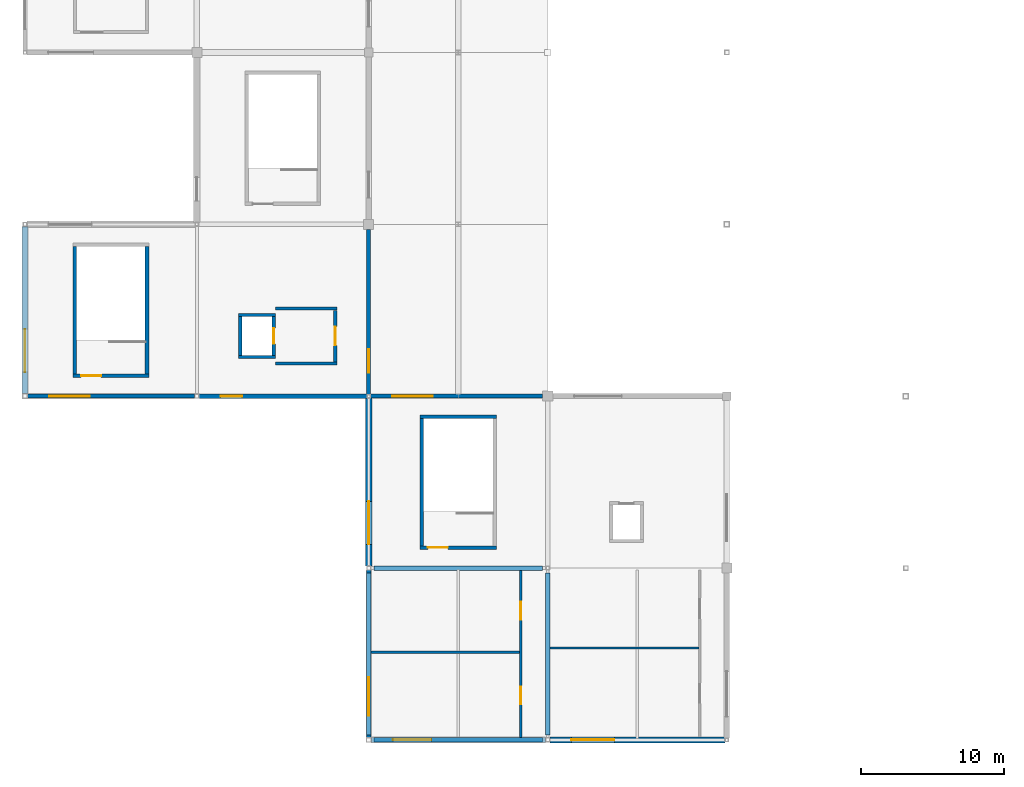
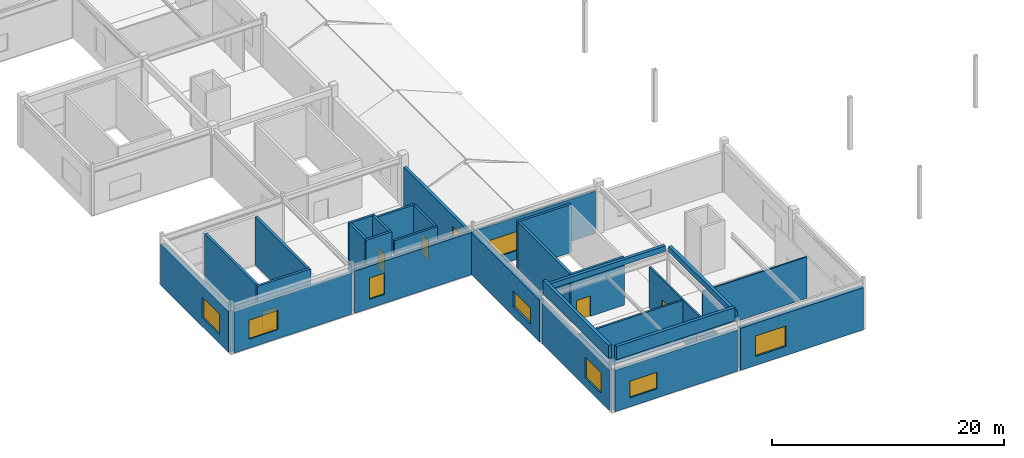
# One storey, part 62 of 76: 29 walls, 9 windows, 6 doors, 15 openings.
"""IFC4 building model written with IfcOpenShell, lengths in metres."""

from ifc_helpers import new_model, si_unit, direction, frame, frame_2d, origin, place, context, subcontext, project, spatial, rectangle, extrude, material, layer, layer_set, type_object, element, fill, save


model = new_model("IFC4")

# Units and contexts
model_context = context("Model", 3, precision=1e-05, world=origin(), true_north=direction((0.0, 1.0)))
body_context = subcontext(model_context, "Body", "Model", "MODEL_VIEW")
ifc_project = project(units=[si_unit("LENGTHUNIT", "METRE"), si_unit("AREAUNIT", "SQUARE_METRE"), si_unit("VOLUMEUNIT", "CUBIC_METRE"), si_unit("PLANEANGLEUNIT", "RADIAN"), si_unit("MASSUNIT", "GRAM", prefix="KILO")], contexts=[model_context])

# Site, building, storey
site_placement = place(None, origin())
site = spatial("IfcSite", under=ifc_project, at=site_placement, CompositionType="ELEMENT")
building_placement = place(site_placement, origin())
building = spatial("IfcBuilding", under=site, at=building_placement, Name="Kazenohara Klinker Stadium", CompositionType="ELEMENT")
storey_placement = place(building_placement, frame((0.0, 0.0, 25.800048828125)))
storey = spatial("IfcBuildingStorey", under=building, at=storey_placement, Name="L05", CompositionType="ELEMENT", Elevation=25.800048828125)

# Walls
ifc_material_1 = material(Name="Concrete C40/50", Category="concrete")
ifc_layer_1 = layer(ifc_material_1, 0.22998046875)
ifc_layer_set_1 = layer_set([ifc_layer_1], Name="Concrete C40/50")
wall_type_1 = type_object("IfcWallType", Name="WAL-CORE-230", PredefinedType="SHEAR", material=ifc_layer_set_1)
for number, where, z_axis, x_axis, name in (
    (1, (14.919921875, 38.735107421875, 0.0), (0.0, 0.0, 1.0), (1.0, 0.0, 0.0), "Elevator shaft wall LF01 L05 South"),
    (2, (14.919921875, 41.6650390625, 0.0), (0.0, 0.0, 1.0), (1.0, 0.0, 0.0), "Elevator shaft wall LF01 L05 North"),
):
    element("IfcWall", number, at=place(storey_placement, frame(where, z_axis=z_axis, x_axis=x_axis)), inside=storey, type_object=wall_type_1, Name=name, PredefinedType="SHEAR", context=body_context, shape_type="SweptSolid", body=[
        extrude(rectangle(XDim=2.56005859375, YDim=0.22998046875, at=frame_2d((1.280029296875, 0.0))), origin(), (0.0, 0.0, 1.0), 5.0400390625),
    ])
wall_1_placement = place(storey_placement, frame((15.034912109375, 38.85009765625, 0.0), z_axis=(0.0, 0.0, 1.0), x_axis=(0.0, 1.0, 0.0)))
element("IfcWall", 3, at=wall_1_placement, inside=storey, type_object=wall_type_1, Name="Elevator shaft wall LF01 L05 West", PredefinedType="SHEAR", context=body_context, shape_type="SweptSolid", body=[
    extrude(rectangle(XDim=2.699951171875, YDim=0.22998046875, at=frame_2d((1.35009765625, 0.0))), origin(), (0.0, 0.0, 1.0), 5.0400390625),
])

# Wall, opening, door
wall_2_placement = place(storey_placement, frame((17.364990234375, 38.85009765625, 0.0), z_axis=(0.0, 0.0, 1.0), x_axis=(0.0, 1.0, 0.0)))
wall_2 = element("IfcWall", 4, at=wall_2_placement, inside=storey, type_object=wall_type_1, Name="Elevator shaft wall LF01 L05 East", PredefinedType="SHEAR", context=body_context, shape_type="SweptSolid", body=[
    extrude(rectangle(XDim=2.699951171875, YDim=0.22998046875, at=frame_2d((1.35009765625, 0.0))), origin(), (0.0, 0.0, 1.0), 5.0400390625),
])
opening_1_placement = place(wall_2_placement, frame((0.800048828125, 0.0, 0.0)))
opening_1 = element("IfcOpeningElement", 5, at=opening_1_placement, cuts=wall_2, Name="Opening LD01", PredefinedType="OPENING", context=body_context, shape_type="SweptSolid", body=[
    extrude(rectangle(XDim=1.10009765625, YDim=2.14990234375, at=frame_2d((0.550048828125, 1.074951171875))), frame((0.0, 0.125, 0.0), z_axis=(0.0, -1.0, 0.0), x_axis=(1.0, 0.0, 0.0)), (0.0, 0.0, 1.0), 0.25),
])
ifc_material_2 = material(Name="Stainless steel fire-rated sliding landing door", Category="steel")
door_type_1 = type_object("IfcDoorType", Name="DR-LD01-1100x2150", OperationType="NOTDEFINED", PredefinedType="DOOR", material=ifc_material_2)
door_1_placement = place(opening_1_placement, origin())
door_1 = element("IfcDoor", 6, at=door_1_placement, inside=storey, type_object=door_type_1, Name="Elevator sliding landing door LF01-L05", OperationType="DOUBLE_DOOR_SLIDING", OverallHeight=2.14990234375, OverallWidth=1.10009765625, PredefinedType="DOOR", context=body_context, shape_type="SweptSolid", body=[
    extrude(rectangle(XDim=1.10009765625, YDim=2.14990234375, at=frame_2d((0.550048828125, 1.074951171875))), frame((0.0, 0.02490234375, 0.0), z_axis=(0.0, -1.0, 0.0), x_axis=(1.0, 0.0, 0.0)), (0.0, 0.0, 1.0), 0.050048828125),
])
fill(opening_1, door_1)

ifc_layer_2 = layer(ifc_material_1, 0.25)
ifc_layer_set_2 = layer_set([ifc_layer_2], Name="Concrete C40/50")
wall_type_2 = type_object("IfcWallType", Name="WAL-CORE-250", PredefinedType="SHEAR", material=ifc_layer_set_2)
wall_3_placement = place(storey_placement, frame((3.360107421875, 37.425048828125, 0.0), z_axis=(0.0, 0.0, 1.0), x_axis=(1.0, 0.0, 0.0)))
wall_3 = element("IfcWall", 7, at=wall_3_placement, inside=storey, type_object=wall_type_2, Name="Stairwell shear wall ST01 L05 South", PredefinedType="SHEAR", context=body_context, shape_type="SweptSolid", body=[
    extrude(rectangle(XDim=5.27978515625, YDim=0.25, at=frame_2d((2.639892578125, 0.0))), origin(), (0.0, 0.0, 1.0), 5.0400390625),
])
opening_2_placement = place(wall_3_placement, frame((0.550048828125, 0.0, 0.0)))
opening_2 = element("IfcOpeningElement", 8, at=opening_2_placement, cuts=wall_3, Name="Opening SD01", PredefinedType="OPENING", context=body_context, shape_type="SweptSolid", body=[
    extrude(rectangle(XDim=1.39990234375, YDim=2.14990234375, at=frame_2d((0.699951171875, 1.074951171875))), frame((0.0, 0.135009765625, 0.0), z_axis=(0.0, -1.0, 0.0), x_axis=(1.0, 0.0, 0.0)), (0.0, 0.0, 1.0), 0.27001953125),
])
ifc_material_3 = material(Name="Flush painted steel fire door leaf", Category="steel")
door_type_2 = type_object("IfcDoorType", Name="DR-STR-1400x2150", OperationType="NOTDEFINED", PredefinedType="DOOR", material=ifc_material_3)
door_2_placement = place(opening_2_placement, origin())
door_2 = element("IfcDoor", 9, at=door_2_placement, inside=storey, type_object=door_type_2, Name="Escape stairwell fire door ST01-L05", OperationType="SINGLE_SWING_LEFT", OverallHeight=2.14990234375, OverallWidth=1.39990234375, PredefinedType="DOOR", context=body_context, shape_type="SweptSolid", body=[
    extrude(rectangle(XDim=1.39990234375, YDim=2.14990234375, at=frame_2d((0.699951171875, 1.074951171875))), frame((0.0, 0.02490234375, 0.0), z_axis=(0.0, -1.0, 0.0), x_axis=(1.0, 0.0, 0.0)), (0.0, 0.0, 1.0), 0.050048828125),
])
fill(opening_2, door_2)

# Walls
for number, where, z_axis, x_axis, name in (
    (10, (3.485107421875, 37.550048828125, 0.0), (0.0, 0.0, 1.0), (0.0, 1.0, 0.0), "Stairwell shear wall ST01 L05 West"),
    (11, (8.514892578125, 37.550048828125, 0.0), (0.0, 0.0, 1.0), (0.0, 1.0, 0.0), "Stairwell shear wall ST01 L05 East"),
):
    element("IfcWall", number, at=place(storey_placement, frame(where, z_axis=z_axis, x_axis=x_axis)), inside=storey, type_object=wall_type_2, Name=name, PredefinedType="SHEAR", context=body_context, shape_type="SweptSolid", body=[
        extrude(rectangle(XDim=8.89990234375, YDim=0.25, at=frame_2d((4.449951171875, 0.0))), origin(), (0.0, 0.0, 1.0), 5.0400390625),
    ])

# Wall, opening, door
wall_4_placement = place(storey_placement, frame((27.580078125, 25.425048828125, 0.0), z_axis=(0.0, 0.0, 1.0), x_axis=(1.0, 0.0, 0.0)))
wall_4 = element("IfcWall", 12, at=wall_4_placement, inside=storey, type_object=wall_type_2, Name="Stairwell shear wall ST07 L05 South", PredefinedType="SHEAR", context=body_context, shape_type="SweptSolid", body=[
    extrude(rectangle(XDim=5.33984375, YDim=0.25, at=frame_2d((2.669921875, 0.0))), origin(), (0.0, 0.0, 1.0), 5.0400390625),
])
opening_3_placement = place(wall_4_placement, frame((0.550048828125, 0.0, 0.0)))
opening_3 = element("IfcOpeningElement", 13, at=opening_3_placement, cuts=wall_4, Name="Opening SD01", PredefinedType="OPENING", context=body_context, shape_type="SweptSolid", body=[
    extrude(rectangle(XDim=1.39990234375, YDim=2.14990234375, at=frame_2d((0.699951171875, 1.074951171875))), frame((0.0, 0.135009765625, 0.0), z_axis=(0.0, -1.0, 0.0), x_axis=(1.0, 0.0, 0.0)), (0.0, 0.0, 1.0), 0.27001953125),
])
door_3_placement = place(opening_3_placement, origin())
door_3 = element("IfcDoor", 14, at=door_3_placement, inside=storey, type_object=door_type_2, Name="Escape stairwell fire door ST07-L05", OperationType="SINGLE_SWING_LEFT", OverallHeight=2.14990234375, OverallWidth=1.39990234375, PredefinedType="DOOR", context=body_context, shape_type="SweptSolid", body=[
    extrude(rectangle(XDim=1.39990234375, YDim=2.14990234375, at=frame_2d((0.699951171875, 1.074951171875))), frame((0.0, 0.02490234375, 0.0), z_axis=(0.0, -1.0, 0.0), x_axis=(1.0, 0.0, 0.0)), (0.0, 0.0, 1.0), 0.050048828125),
])
fill(opening_3, door_3)

# Walls
wall_5_placement = place(storey_placement, frame((27.580078125, 34.574951171875, 0.0), z_axis=(0.0, 0.0, 1.0), x_axis=(1.0, 0.0, 0.0)))
element("IfcWall", 15, at=wall_5_placement, inside=storey, type_object=wall_type_2, Name="Stairwell shear wall ST07 L05 North", PredefinedType="SHEAR", context=body_context, shape_type="SweptSolid", body=[
    extrude(rectangle(XDim=5.33984375, YDim=0.25, at=frame_2d((2.669921875, 0.0))), origin(), (0.0, 0.0, 1.0), 5.0400390625),
])
wall_6_placement = place(storey_placement, frame((27.705078125, 25.550048828125, 0.0), z_axis=(0.0, 0.0, 1.0), x_axis=(0.0, 1.0, 0.0)))
element("IfcWall", 16, at=wall_6_placement, inside=storey, type_object=wall_type_2, Name="Stairwell shear wall ST07 L05 West", PredefinedType="SHEAR", context=body_context, shape_type="SweptSolid", body=[
    extrude(rectangle(XDim=8.89990234375, YDim=0.25, at=frame_2d((4.449951171875, 0.0))), origin(), (0.0, 0.0, 1.0), 5.0400390625),
])

# Wall, opening, window
ifc_material_4 = material(Name="Clinker brick masonry", Category="masonry")
ifc_layer_3 = layer(ifc_material_4, 0.280029296875)
ifc_layer_set_3 = layer_set([ifc_layer_3], Name="Clinker brick masonry")
wall_type_3 = type_object("IfcWallType", Name="WAL-EXT-CB280", PredefinedType="SOLIDWALL", material=ifc_layer_set_3)
wall_7_placement = place(storey_placement, frame((0.178955078125, 36.0, 0.0), z_axis=(0.0, 0.0, 1.0), x_axis=(1.0, 0.0, 0.0)))
wall_7 = element("IfcWall", 17, at=wall_7_placement, inside=storey, type_object=wall_type_3, Name="Clinker brick cavity wall EW06 L05 X0-3", PredefinedType="SOLIDWALL", context=body_context, shape_type="SweptSolid", body=[
    extrude(rectangle(XDim=11.6669921875, YDim=0.280029296875, at=frame_2d((5.83349609375, 0.0))), origin(), (0.0, 0.0, 1.0), 4.33984375),
])
opening_4_placement = place(wall_7_placement, frame((1.5, 0.0, 0.949951171875)))
opening_4 = element("IfcOpeningElement", 18, at=opening_4_placement, cuts=wall_7, Name="Opening W29", PredefinedType="OPENING", context=body_context, shape_type="SweptSolid", body=[
    extrude(rectangle(XDim=2.85009765625, YDim=2.0, at=frame_2d((1.425048828125, 1.0))), frame((0.0, 0.14990234375, 0.0), z_axis=(0.0, -1.0, 0.0), x_axis=(1.0, 0.0, 0.0)), (0.0, 0.0, 1.0), 0.300048828125),
])
ifc_material_5 = material(Name="Dark bronze aluminium frame and triple glazing", Category="aluminium")
window_type_1 = type_object("IfcWindowType", Name="WIN-AS-29", PartitioningType="SINGLE_PANEL", PredefinedType="WINDOW", material=ifc_material_5)
window_1_placement = place(opening_4_placement, origin())
window_1 = element("IfcWindow", 19, at=window_1_placement, inside=storey, type_object=window_type_1, Name="Horizontal-mullion ladder window W29 L05 X0-3", OverallHeight=2.0, OverallWidth=2.85009765625, PartitioningType="SINGLE_PANEL", PredefinedType="WINDOW", context=body_context, shape_type="SweptSolid", body=[
    extrude(rectangle(XDim=2.85009765625, YDim=2.0, at=frame_2d((1.425048828125, 1.0))), frame((0.0, 0.030029296875, 0.0), z_axis=(0.0, -1.0, 0.0), x_axis=(1.0, 0.0, 0.0)), (0.0, 0.0, 1.0), 0.06005859375),
])
fill(opening_4, window_1)

wall_8_placement = place(storey_placement, frame((24.0, 36.12890625, 0.0), z_axis=(0.0, 0.0, 1.0), x_axis=(0.0, 1.0, 0.0)))
wall_8 = element("IfcWall", 20, at=wall_8_placement, inside=storey, type_object=wall_type_3, Name="Clinker brick cavity wall EW06 L05 Y2-3", PredefinedType="SOLIDWALL", context=body_context, shape_type="SweptSolid", body=[
    extrude(rectangle(XDim=11.51708984375, YDim=0.280029296875, at=frame_2d((5.758544921875, 0.0))), origin(), (0.0, 0.0, 1.0), 4.1298828125),
])
opening_5_placement = place(wall_8_placement, frame((1.5, 0.0, 0.949951171875)))
opening_5 = element("IfcOpeningElement", 21, at=opening_5_placement, cuts=wall_8, Name="Opening W11", PredefinedType="OPENING", context=body_context, shape_type="SweptSolid", body=[
    extrude(rectangle(XDim=1.64990234375, YDim=2.050048828125, at=frame_2d((0.824951171875, 1.02490234375))), frame((0.0, 0.14990234375, 0.0), z_axis=(0.0, -1.0, 0.0), x_axis=(1.0, 0.0, 0.0)), (0.0, 0.0, 1.0), 0.300048828125),
])
window_type_2 = type_object("IfcWindowType", Name="WIN-AS-11", PartitioningType="SINGLE_PANEL", PredefinedType="WINDOW", material=ifc_material_5)
window_2_placement = place(opening_5_placement, origin())
window_2 = element("IfcWindow", 22, at=window_2_placement, inside=storey, type_object=window_type_2, Name="Horizontal-mullion ladder window W11 L05 Y2-3", OverallHeight=2.050048828125, OverallWidth=1.64990234375, PartitioningType="SINGLE_PANEL", PredefinedType="WINDOW", context=body_context, shape_type="SweptSolid", body=[
    extrude(rectangle(XDim=1.64990234375, YDim=2.050048828125, at=frame_2d((0.824951171875, 1.02490234375))), frame((0.0, 0.030029296875, 0.0), z_axis=(0.0, -1.0, 0.0), x_axis=(1.0, 0.0, 0.0)), (0.0, 0.0, 1.0), 0.06005859375),
])
fill(opening_5, window_2)

wall_9_placement = place(storey_placement, frame((24.12890625, 36.0, 0.0), z_axis=(0.0, 0.0, 1.0), x_axis=(1.0, 0.0, 0.0)))
wall_9 = element("IfcWall", 23, at=wall_9_placement, inside=storey, type_object=wall_type_3, Name="Clinker brick cavity wall EW06 L05 X2-3", PredefinedType="SOLIDWALL", context=body_context, shape_type="SweptSolid", body=[
    extrude(rectangle(XDim=12.01708984375, YDim=0.280029296875, at=frame_2d((6.008544921875, 0.0))), origin(), (0.0, 0.0, 1.0), 4.451904296875),
])
opening_6_placement = place(wall_9_placement, frame((1.5, 0.0, 0.949951171875)))
opening_6 = element("IfcOpeningElement", 24, at=opening_6_placement, cuts=wall_9, Name="Opening W29", PredefinedType="OPENING", context=body_context, shape_type="SweptSolid", body=[
    extrude(rectangle(XDim=2.85009765625, YDim=2.0, at=frame_2d((1.425048828125, 1.0))), frame((0.0, 0.14990234375, 0.0), z_axis=(0.0, -1.0, 0.0), x_axis=(1.0, 0.0, 0.0)), (0.0, 0.0, 1.0), 0.300048828125),
])
window_3_placement = place(opening_6_placement, origin())
window_3 = element("IfcWindow", 25, at=window_3_placement, inside=storey, type_object=window_type_1, Name="Horizontal-mullion ladder window W29 L05 X2-3", OverallHeight=2.0, OverallWidth=2.85009765625, PartitioningType="SINGLE_PANEL", PredefinedType="WINDOW", context=body_context, shape_type="SweptSolid", body=[
    extrude(rectangle(XDim=2.85009765625, YDim=2.0, at=frame_2d((1.425048828125, 1.0))), frame((0.0, 0.030029296875, 0.0), z_axis=(0.0, -1.0, 0.0), x_axis=(1.0, 0.0, 0.0)), (0.0, 0.0, 1.0), 0.06005859375),
])
fill(opening_6, window_3)

ifc_layer_4 = layer(ifc_material_4, 0.31005859375)
ifc_layer_set_4 = layer_set([ifc_layer_4], Name="Clinker brick masonry")
wall_type_4 = type_object("IfcWallType", Name="WAL-EXT-CB310", PredefinedType="SOLIDWALL", material=ifc_layer_set_4)
wall_10_placement = place(storey_placement, frame((12.154052734375, 36.0, 0.0), z_axis=(0.0, 0.0, 1.0), x_axis=(1.0, 0.0, 0.0)))
wall_10 = element("IfcWall", 26, at=wall_10_placement, inside=storey, type_object=wall_type_4, Name="Clinker brick cavity wall EW05 L05 X1-3", PredefinedType="SOLIDWALL", context=body_context, shape_type="SweptSolid", body=[
    extrude(rectangle(XDim=11.717041015625, YDim=0.31005859375, at=frame_2d((5.8583984375, 0.0))), origin(), (0.0, 0.0, 1.0), 4.43994140625),
])
opening_7_placement = place(wall_10_placement, frame((1.5, 0.0, 0.949951171875)))
opening_7 = element("IfcOpeningElement", 27, at=opening_7_placement, cuts=wall_10, Name="Opening W10", PredefinedType="OPENING", context=body_context, shape_type="SweptSolid", body=[
    extrude(rectangle(XDim=1.5, YDim=2.25, at=frame_2d((0.75, 1.125))), frame((0.0, 0.1650390625, 0.0), z_axis=(0.0, -1.0, 0.0), x_axis=(1.0, 0.0, 0.0)), (0.0, 0.0, 1.0), 0.330078125),
])
window_type_3 = type_object("IfcWindowType", Name="WIN-AS-10", PartitioningType="SINGLE_PANEL", PredefinedType="WINDOW", material=ifc_material_5)
window_4_placement = place(opening_7_placement, origin())
window_4 = element("IfcWindow", 28, at=window_4_placement, inside=storey, type_object=window_type_3, Name="Horizontal-mullion ladder window W10 L05 X1-3", OverallHeight=2.25, OverallWidth=1.5, PartitioningType="SINGLE_PANEL", PredefinedType="WINDOW", context=body_context, shape_type="SweptSolid", body=[
    extrude(rectangle(XDim=1.5, YDim=2.25, at=frame_2d((0.75, 1.125))), frame((0.0, 0.030029296875, 0.0), z_axis=(0.0, -1.0, 0.0), x_axis=(1.0, 0.0, 0.0)), (0.0, 0.0, 1.0), 0.06005859375),
])
fill(opening_7, window_4)

wall_11_placement = place(storey_placement, frame((24.0, 12.178955078125, 0.0), z_axis=(0.0, 0.0, 1.0), x_axis=(0.0, 1.0, 0.0)))
wall_11 = element("IfcWall", 29, at=wall_11_placement, inside=storey, type_object=wall_type_4, Name="Clinker brick cavity wall EW05 L05 Y2-1", PredefinedType="SOLIDWALL", context=body_context, shape_type="SweptSolid", body=[
    extrude(rectangle(XDim=11.6669921875, YDim=0.31005859375, at=frame_2d((5.83349609375, 0.0))), origin(), (0.0, 0.0, 1.0), 4.33984375),
])
opening_8_placement = place(wall_11_placement, frame((1.5, 0.0, 0.949951171875)))
opening_8 = element("IfcOpeningElement", 30, at=opening_8_placement, cuts=wall_11, Name="Opening W28", PredefinedType="OPENING", context=body_context, shape_type="SweptSolid", body=[
    extrude(rectangle(XDim=2.699951171875, YDim=2.199951171875, at=frame_2d((1.35009765625, 1.10009765625))), frame((0.0, 0.1650390625, 0.0), z_axis=(0.0, -1.0, 0.0), x_axis=(1.0, 0.0, 0.0)), (0.0, 0.0, 1.0), 0.330078125),
])
window_type_4 = type_object("IfcWindowType", Name="WIN-AS-28", PartitioningType="SINGLE_PANEL", PredefinedType="WINDOW", material=ifc_material_5)
window_5_placement = place(opening_8_placement, origin())
window_5 = element("IfcWindow", 31, at=window_5_placement, inside=storey, type_object=window_type_4, Name="Horizontal-mullion ladder window W28 L05 Y2-1", OverallHeight=2.199951171875, OverallWidth=2.699951171875, PartitioningType="SINGLE_PANEL", PredefinedType="WINDOW", context=body_context, shape_type="SweptSolid", body=[
    extrude(rectangle(XDim=2.699951171875, YDim=2.199951171875, at=frame_2d((1.35009765625, 1.10009765625))), frame((0.0, 0.030029296875, 0.0), z_axis=(0.0, -1.0, 0.0), x_axis=(1.0, 0.0, 0.0)), (0.0, 0.0, 1.0), 0.06005859375),
])
fill(opening_8, window_5)

# Walls
wall_12_placement = place(storey_placement, frame((24.35009765625, 12.0, 5.39990234375), z_axis=(0.0, 0.0, 1.0), x_axis=(1.0, 0.0, 0.0)))
element("IfcWall", 32, at=wall_12_placement, inside=storey, type_object=wall_type_4, Name="Turret crown klinker wall EW05 GT2-SW-S", PredefinedType="SOLIDWALL", context=body_context, shape_type="SweptSolid", body=[
    extrude(rectangle(XDim=11.7998046875, YDim=0.31005859375, at=frame_2d((5.89990234375, 0.0))), origin(), (0.0, 0.0, 1.0), 1.380126953125),
])
wall_13_placement = place(storey_placement, frame((24.35009765625, 24.0, 5.39990234375), z_axis=(0.0, 0.0, 1.0), x_axis=(1.0, 0.0, 0.0)))
element("IfcWall", 33, at=wall_13_placement, inside=storey, type_object=wall_type_4, Name="Turret crown klinker wall EW05 GT2-SW-N", PredefinedType="SOLIDWALL", context=body_context, shape_type="SweptSolid", body=[
    extrude(rectangle(XDim=11.7998046875, YDim=0.31005859375, at=frame_2d((5.89990234375, 0.0))), origin(), (0.0, 0.0, 1.0), 0.580078125),
])
wall_14_placement = place(storey_placement, frame((24.0, 12.35009765625, 5.39990234375), z_axis=(0.0, 0.0, 1.0), x_axis=(0.0, 1.0, 0.0)))
element("IfcWall", 34, at=wall_14_placement, inside=storey, type_object=wall_type_4, Name="Turret crown klinker wall EW05 GT2-SW-W", PredefinedType="SOLIDWALL", context=body_context, shape_type="SweptSolid", body=[
    extrude(rectangle(XDim=11.2998046875, YDim=0.31005859375, at=frame_2d((5.64990234375, 0.0))), origin(), (0.0, 0.0, 1.0), 1.380126953125),
])
wall_15_placement = place(storey_placement, frame((36.5, 12.35009765625, 5.39990234375), z_axis=(0.0, 0.0, 1.0), x_axis=(0.0, 1.0, 0.0)))
element("IfcWall", 35, at=wall_15_placement, inside=storey, type_object=wall_type_4, Name="Turret crown klinker wall EW05 GT2-SW-E", PredefinedType="SOLIDWALL", context=body_context, shape_type="SweptSolid", body=[
    extrude(rectangle(XDim=11.2998046875, YDim=0.31005859375, at=frame_2d((5.64990234375, 0.0))), origin(), (0.0, 0.0, 1.0), 0.580078125),
])

# Wall, opening, window
ifc_layer_5 = layer(ifc_material_4, 0.340087890625)
ifc_layer_set_5 = layer_set([ifc_layer_5], Name="Clinker brick masonry")
wall_type_5 = type_object("IfcWallType", Name="WAL-EXT-CB340", PredefinedType="SOLIDWALL", material=ifc_layer_set_5)
wall_16_placement = place(storey_placement, frame((24.178955078125, 12.0, 0.0), z_axis=(0.0, 0.0, 1.0), x_axis=(1.0, 0.0, 0.0)))
wall_16 = element("IfcWall", 36, at=wall_16_placement, inside=storey, type_object=wall_type_5, Name="Clinker brick cavity wall EW04 L05 X2-1", PredefinedType="SOLIDWALL", context=body_context, shape_type="SweptSolid", body=[
    extrude(rectangle(XDim=12.1669921875, YDim=0.340087890625, at=frame_2d((6.08349609375, 0.0))), origin(), (0.0, 0.0, 1.0), 4.33984375),
])
opening_9_placement = place(wall_16_placement, frame((1.5, 0.0, 0.949951171875)))
opening_9 = element("IfcOpeningElement", 37, at=opening_9_placement, cuts=wall_16, Name="Opening W27", PredefinedType="OPENING", context=body_context, shape_type="SweptSolid", body=[
    extrude(rectangle(XDim=2.699951171875, YDim=1.75, at=frame_2d((1.35009765625, 0.875))), frame((0.0, 0.18017578125, 0.0), z_axis=(0.0, -1.0, 0.0), x_axis=(1.0, 0.0, 0.0)), (0.0, 0.0, 1.0), 0.360107421875),
])
window_type_5 = type_object("IfcWindowType", Name="WIN-AS-27", PartitioningType="SINGLE_PANEL", PredefinedType="WINDOW", material=ifc_material_5)
window_6_placement = place(opening_9_placement, origin())
window_6 = element("IfcWindow", 38, at=window_6_placement, inside=storey, type_object=window_type_5, Name="Horizontal-mullion ladder window W27 L05 X2-1", OverallHeight=1.75, OverallWidth=2.699951171875, PartitioningType="SINGLE_PANEL", PredefinedType="WINDOW", context=body_context, shape_type="SweptSolid", body=[
    extrude(rectangle(XDim=2.699951171875, YDim=1.75, at=frame_2d((1.35009765625, 0.875))), frame((0.0, 0.030029296875, 0.0), z_axis=(0.0, -1.0, 0.0), x_axis=(1.0, 0.0, 0.0)), (0.0, 0.0, 1.0), 0.06005859375),
])
fill(opening_9, window_6)

ifc_layer_6 = layer(ifc_material_4, 0.409912109375)
ifc_layer_set_6 = layer_set([ifc_layer_6], Name="Clinker brick masonry")
wall_type_6 = type_object("IfcWallType", Name="WAL-EXT-CB410", PredefinedType="SOLIDWALL", material=ifc_layer_set_6)
wall_17_placement = place(storey_placement, frame((0.0, 36.178955078125, 0.0), z_axis=(0.0, 0.0, 1.0), x_axis=(0.0, 1.0, 0.0)))
wall_17 = element("IfcWall", 39, at=wall_17_placement, inside=storey, type_object=wall_type_6, Name="Clinker brick cavity wall EW02 L05 Y0-3", PredefinedType="SOLIDWALL", context=body_context, shape_type="SweptSolid", body=[
    extrude(rectangle(XDim=11.6669921875, YDim=0.409912109375, at=frame_2d((5.83349609375, 0.0))), origin(), (0.0, 0.0, 1.0), 4.33984375),
])
opening_10_placement = place(wall_17_placement, frame((1.5, 0.0, 0.949951171875)))
opening_10 = element("IfcOpeningElement", 40, at=opening_10_placement, cuts=wall_17, Name="Opening W31", PredefinedType="OPENING", context=body_context, shape_type="SweptSolid", body=[
    extrude(rectangle(XDim=3.0, YDim=2.14990234375, at=frame_2d((1.5, 1.074951171875))), frame((0.0, 0.21484375, 0.0), z_axis=(0.0, -1.0, 0.0), x_axis=(1.0, 0.0, 0.0)), (0.0, 0.0, 1.0), 0.429931640625),
])
window_type_6 = type_object("IfcWindowType", Name="WIN-AS-31", PartitioningType="SINGLE_PANEL", PredefinedType="WINDOW", material=ifc_material_5)
window_7_placement = place(opening_10_placement, origin())
window_7 = element("IfcWindow", 41, at=window_7_placement, inside=storey, type_object=window_type_6, Name="Horizontal-mullion ladder window W31 L05 Y0-3", OverallHeight=2.14990234375, OverallWidth=3.0, PartitioningType="SINGLE_PANEL", PredefinedType="WINDOW", context=body_context, shape_type="SweptSolid", body=[
    extrude(rectangle(XDim=3.0, YDim=2.14990234375, at=frame_2d((1.5, 1.074951171875))), frame((0.0, 0.030029296875, 0.0), z_axis=(0.0, -1.0, 0.0), x_axis=(1.0, 0.0, 0.0)), (0.0, 0.0, 1.0), 0.06005859375),
])
fill(opening_10, window_7)

wall_18_placement = place(storey_placement, frame((36.654052734375, 12.0, 0.0), z_axis=(0.0, 0.0, 1.0), x_axis=(1.0, 0.0, 0.0)))
wall_18 = element("IfcWall", 42, at=wall_18_placement, inside=storey, type_object=wall_type_6, Name="Clinker brick cavity wall EW02 L05 X3-1", PredefinedType="SOLIDWALL", context=body_context, shape_type="SweptSolid", body=[
    extrude(rectangle(XDim=12.217041015625, YDim=0.409912109375, at=frame_2d((6.1083984375, 0.0))), origin(), (0.0, 0.0, 1.0), 4.43994140625),
])
opening_11_placement = place(wall_18_placement, frame((1.5, 0.0, 0.949951171875)))
opening_11 = element("IfcOpeningElement", 43, at=opening_11_placement, cuts=wall_18, Name="Opening W31", PredefinedType="OPENING", context=body_context, shape_type="SweptSolid", body=[
    extrude(rectangle(XDim=3.0, YDim=2.14990234375, at=frame_2d((1.5, 1.074951171875))), frame((0.0, 0.21484375, 0.0), z_axis=(0.0, -1.0, 0.0), x_axis=(1.0, 0.0, 0.0)), (0.0, 0.0, 1.0), 0.429931640625),
])
window_8_placement = place(opening_11_placement, origin())
window_8 = element("IfcWindow", 44, at=window_8_placement, inside=storey, type_object=window_type_6, Name="Horizontal-mullion ladder window W31 L05 X3-1", OverallHeight=2.14990234375, OverallWidth=3.0, PartitioningType="SINGLE_PANEL", PredefinedType="WINDOW", context=body_context, shape_type="SweptSolid", body=[
    extrude(rectangle(XDim=3.0, YDim=2.14990234375, at=frame_2d((1.5, 1.074951171875))), frame((0.0, 0.030029296875, 0.0), z_axis=(0.0, -1.0, 0.0), x_axis=(1.0, 0.0, 0.0)), (0.0, 0.0, 1.0), 0.06005859375),
])
fill(opening_11, window_8)

ifc_layer_7 = layer(ifc_material_4, 0.449951171875)
ifc_layer_set_7 = layer_set([ifc_layer_7], Name="Clinker brick masonry")
wall_type_7 = type_object("IfcWallType", Name="WAL-EXT-CB450", PredefinedType="SOLIDWALL", material=ifc_layer_set_7)
wall_19_placement = place(storey_placement, frame((24.0, 24.154052734375, 0.0), z_axis=(0.0, 0.0, 1.0), x_axis=(0.0, 1.0, 0.0)))
wall_19 = element("IfcWall", 45, at=wall_19_placement, inside=storey, type_object=wall_type_7, Name="Clinker brick cavity wall EW01 L05 Y2-2", PredefinedType="SOLIDWALL", context=body_context, shape_type="SweptSolid", body=[
    extrude(rectangle(XDim=11.717041015625, YDim=0.449951171875, at=frame_2d((5.8583984375, 0.0))), origin(), (0.0, 0.0, 1.0), 4.43994140625),
])
opening_12_placement = place(wall_19_placement, frame((1.5, 0.0, 0.949951171875)))
opening_12 = element("IfcOpeningElement", 46, at=opening_12_placement, cuts=wall_19, Name="Opening W30", PredefinedType="OPENING", context=body_context, shape_type="SweptSolid", body=[
    extrude(rectangle(XDim=3.0, YDim=1.699951171875, at=frame_2d((1.5, 0.85009765625))), frame((0.0, 0.23486328125, 0.0), z_axis=(0.0, -1.0, 0.0), x_axis=(1.0, 0.0, 0.0)), (0.0, 0.0, 1.0), 0.469970703125),
])
window_type_7 = type_object("IfcWindowType", Name="WIN-AS-30", PartitioningType="SINGLE_PANEL", PredefinedType="WINDOW", material=ifc_material_5)
window_9_placement = place(opening_12_placement, origin())
window_9 = element("IfcWindow", 47, at=window_9_placement, inside=storey, type_object=window_type_7, Name="Horizontal-mullion ladder window W30 L05 Y2-2", OverallHeight=1.699951171875, OverallWidth=3.0, PartitioningType="SINGLE_PANEL", PredefinedType="WINDOW", context=body_context, shape_type="SweptSolid", body=[
    extrude(rectangle(XDim=3.0, YDim=1.699951171875, at=frame_2d((1.5, 0.85009765625))), frame((0.0, 0.030029296875, 0.0), z_axis=(0.0, -1.0, 0.0), x_axis=(1.0, 0.0, 0.0)), (0.0, 0.0, 1.0), 0.06005859375),
])
fill(opening_12, window_9)

# Walls
ifc_layer_8 = layer(ifc_material_1, 0.219970703125)
ifc_layer_set_8 = layer_set([ifc_layer_8], Name="Concrete C40/50")
wall_type_8 = type_object("IfcWallType", Name="WAL-INT-FF220", PredefinedType="SOLIDWALL", material=ifc_layer_set_8)
for number, where, z_axis, x_axis, name in (
    (48, (17.47998046875, 38.2900390625, 0.0), (0.0, 0.0, 1.0), (1.0, 0.0, 0.0), "Firefighting lobby wall LF01 L05 South"),
    (49, (17.47998046875, 42.110107421875, 0.0), (0.0, 0.0, 1.0), (1.0, 0.0, 0.0), "Firefighting lobby wall LF01 L05 North"),
):
    element("IfcWall", number, at=place(storey_placement, frame(where, z_axis=z_axis, x_axis=x_axis)), inside=storey, type_object=wall_type_8, Name=name, PredefinedType="SOLIDWALL", context=body_context, shape_type="SweptSolid", body=[
        extrude(rectangle(XDim=4.2900390625, YDim=0.219970703125, at=frame_2d((2.14501953125, 0.0))), origin(), (0.0, 0.0, 1.0), 4.349853515625),
    ])

# Wall, opening, door
wall_20_placement = place(storey_placement, frame((21.659912109375, 38.39990234375, 0.0), z_axis=(0.0, 0.0, 1.0), x_axis=(0.0, 1.0, 0.0)))
wall_20 = element("IfcWall", 50, at=wall_20_placement, inside=storey, type_object=wall_type_8, Name="Firefighting lobby front wall LF01 L05", PredefinedType="SOLIDWALL", context=body_context, shape_type="SweptSolid", body=[
    extrude(rectangle(XDim=3.60009765625, YDim=0.219970703125, at=frame_2d((1.800048828125, 0.0))), origin(), (0.0, 0.0, 1.0), 4.349853515625),
])
opening_13_placement = place(wall_20_placement, frame((1.14990234375, 0.0, 0.0)))
opening_13 = element("IfcOpeningElement", 51, at=opening_13_placement, cuts=wall_20, Name="Opening FD01", PredefinedType="OPENING", context=body_context, shape_type="SweptSolid", body=[
    extrude(rectangle(XDim=1.300048828125, YDim=2.14990234375, at=frame_2d((0.64990234375, 1.074951171875))), frame((0.0, 0.1201171875, 0.0), z_axis=(0.0, -1.0, 0.0), x_axis=(1.0, 0.0, 0.0)), (0.0, 0.0, 1.0), 0.239990234375),
])
ifc_material_6 = material(Name="Smoke-sealed steel fire lobby door", Category="steel")
door_type_3 = type_object("IfcDoorType", Name="DR-FFL-1300x2150", OperationType="NOTDEFINED", PredefinedType="DOOR", material=ifc_material_6)
door_4_placement = place(opening_13_placement, origin())
door_4 = element("IfcDoor", 52, at=door_4_placement, inside=storey, type_object=door_type_3, Name="Firefighting lobby smoke-sealed door LF01-L05", OperationType="SINGLE_SWING_LEFT", OverallHeight=2.14990234375, OverallWidth=1.300048828125, PredefinedType="DOOR", context=body_context, shape_type="SweptSolid", body=[
    extrude(rectangle(XDim=1.300048828125, YDim=2.14990234375, at=frame_2d((0.64990234375, 1.074951171875))), frame((0.0, 0.02490234375, 0.0), z_axis=(0.0, -1.0, 0.0), x_axis=(1.0, 0.0, 0.0)), (0.0, 0.0, 1.0), 0.050048828125),
])
fill(opening_13, door_4)

# Wall
ifc_material_7 = material(Name="Fire-rated gypsum board on acoustic studs", Category="gypsum")
ifc_layer_9 = layer(ifc_material_7, 0.139892578125)
ifc_layer_set_9 = layer_set([ifc_layer_9], Name="Fire-rated gypsum board on acoustic studs")
wall_type_9 = type_object("IfcWallType", Name="WAL-INT-P140", PredefinedType="PARTITIONING", material=ifc_layer_set_9)
wall_21_placement = place(storey_placement, frame((36.656982421875, 18.40869140625, 0.0), z_axis=(0.0, 0.0, 1.0), x_axis=(1.0, 0.0, 0.0)))
element("IfcWall", 53, at=wall_21_placement, inside=storey, type_object=wall_type_9, Name="Interior partition wall PT03 SPC-L05-03-01-1-2", PredefinedType="PARTITIONING", context=body_context, shape_type="SweptSolid", body=[
    extrude(rectangle(XDim=10.387939453125, YDim=0.139892578125, at=frame_2d((5.19384765625, 0.0))), origin(), (0.0, 0.0, 1.0), 4.349853515625),
])

# Wall, openings, doors
ifc_layer_10 = layer(ifc_material_7, 0.169921875)
ifc_layer_set_10 = layer_set([ifc_layer_10], Name="Fire-rated gypsum board on acoustic studs")
wall_type_10 = type_object("IfcWallType", Name="WAL-INT-P170", PredefinedType="PARTITIONING", material=ifc_layer_set_10)
wall_22_placement = place(storey_placement, frame((34.610107421875, 12.172119140625, 0.0), z_axis=(0.0, 0.0, 1.0), x_axis=(0.0, 1.0, 0.0)))
wall_22 = element("IfcWall", 54, at=wall_22_placement, inside=storey, type_object=wall_type_10, Name="Interior partition wall PT05 SPC-L05-02-01-1-1", PredefinedType="PARTITIONING", context=body_context, shape_type="SweptSolid", body=[
    extrude(rectangle(XDim=11.6708984375, YDim=0.169921875, at=frame_2d((5.83544921875, 0.0))), origin(), (0.0, 0.0, 1.0), 4.349853515625),
])
opening_14_placement = place(wall_22_placement, frame((2.306396484375, 0.0, 0.0)))
opening_14 = element("IfcOpeningElement", 55, at=opening_14_placement, cuts=wall_22, Name="Opening ID13", PredefinedType="OPENING", context=body_context, shape_type="SweptSolid", body=[
    extrude(rectangle(XDim=1.239990234375, YDim=2.219970703125, at=frame_2d((0.6201171875, 1.10986328125))), frame((0.0, 0.094970703125, 0.0), z_axis=(0.0, -1.0, 0.0), x_axis=(1.0, 0.0, 0.0)), (0.0, 0.0, 1.0), 0.18994140625),
])
opening_15_placement = place(wall_22_placement, frame((8.21142578125, 0.0, 0.0)))
opening_15 = element("IfcOpeningElement", 56, at=opening_15_placement, cuts=wall_22, Name="Opening ID14", PredefinedType="OPENING", context=body_context, shape_type="SweptSolid", body=[
    extrude(rectangle(XDim=1.27001953125, YDim=2.199951171875, at=frame_2d((0.635009765625, 1.10009765625))), frame((0.0, 0.094970703125, 0.0), z_axis=(0.0, -1.0, 0.0), x_axis=(1.0, 0.0, 0.0)), (0.0, 0.0, 1.0), 0.18994140625),
])
ifc_material_8 = material(Name="Solid-core Hokkaido oak fire door", Category="wood")
door_type_4 = type_object("IfcDoorType", Name="DR-INT-13", OperationType="NOTDEFINED", PredefinedType="DOOR", material=ifc_material_8)
door_5_placement = place(opening_14_placement, origin())
door_5 = element("IfcDoor", 57, at=door_5_placement, inside=storey, type_object=door_type_4, Name="Interior door ID13 North Scoreboard Video Control Studio L05-0201A", OperationType="SINGLE_SWING_RIGHT", OverallHeight=2.219970703125, OverallWidth=1.239990234375, PredefinedType="DOOR", context=body_context, shape_type="SweptSolid", body=[
    extrude(rectangle(XDim=1.239990234375, YDim=2.219970703125, at=frame_2d((0.6201171875, 1.10986328125))), frame((0.0, 0.02490234375, 0.0), z_axis=(0.0, -1.0, 0.0), x_axis=(1.0, 0.0, 0.0)), (0.0, 0.0, 1.0), 0.050048828125),
])
fill(opening_14, door_5)
door_type_5 = type_object("IfcDoorType", Name="DR-INT-14", OperationType="NOTDEFINED", PredefinedType="DOOR", material=ifc_material_8)
door_6_placement = place(opening_15_placement, origin())
door_6 = element("IfcDoor", 58, at=door_6_placement, inside=storey, type_object=door_type_5, Name="Interior door ID14 Photographer Fibre Uplink Media Studio L05-0201B", OperationType="SINGLE_SWING_LEFT", OverallHeight=2.199951171875, OverallWidth=1.27001953125, PredefinedType="DOOR", context=body_context, shape_type="SweptSolid", body=[
    extrude(rectangle(XDim=1.27001953125, YDim=2.199951171875, at=frame_2d((0.635009765625, 1.10009765625))), frame((0.0, 0.02490234375, 0.0), z_axis=(0.0, -1.0, 0.0), x_axis=(1.0, 0.0, 0.0)), (0.0, 0.0, 1.0), 0.050048828125),
])
fill(opening_15, door_6)

# Wall
ifc_layer_11 = layer(ifc_material_7, 0.18994140625)
ifc_layer_set_11 = layer_set([ifc_layer_11], Name="Fire-rated gypsum board on acoustic studs")
wall_type_11 = type_object("IfcWallType", Name="WAL-INT-P190", PredefinedType="PARTITIONING", material=ifc_layer_set_11)
wall_23_placement = place(storey_placement, frame((24.156982421875, 18.11669921875, 0.0), z_axis=(0.0, 0.0, 1.0), x_axis=(1.0, 0.0, 0.0)))
element("IfcWall", 59, at=wall_23_placement, inside=storey, type_object=wall_type_11, Name="Interior partition wall PT06 SPC-L05-02-01-1-2", PredefinedType="PARTITIONING", context=body_context, shape_type="SweptSolid", body=[
    extrude(rectangle(XDim=10.363037109375, YDim=0.18994140625, at=frame_2d((5.181640625, 0.0))), origin(), (0.0, 0.0, 1.0), 4.349853515625),
])

save(model, "model.ifc")
